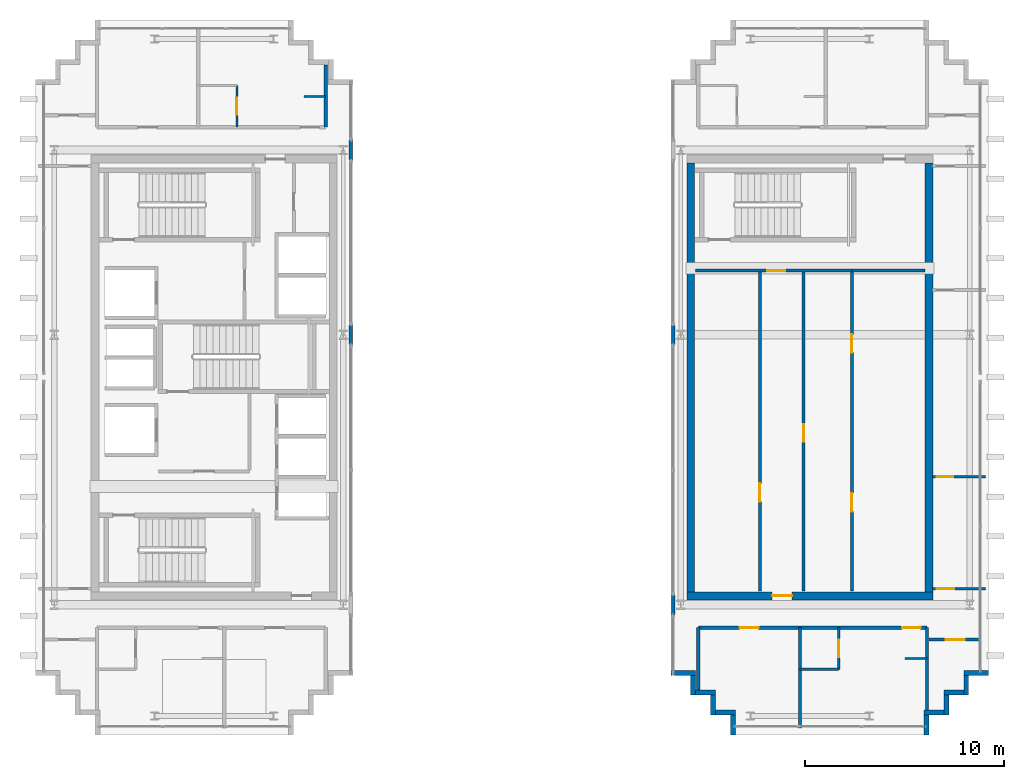
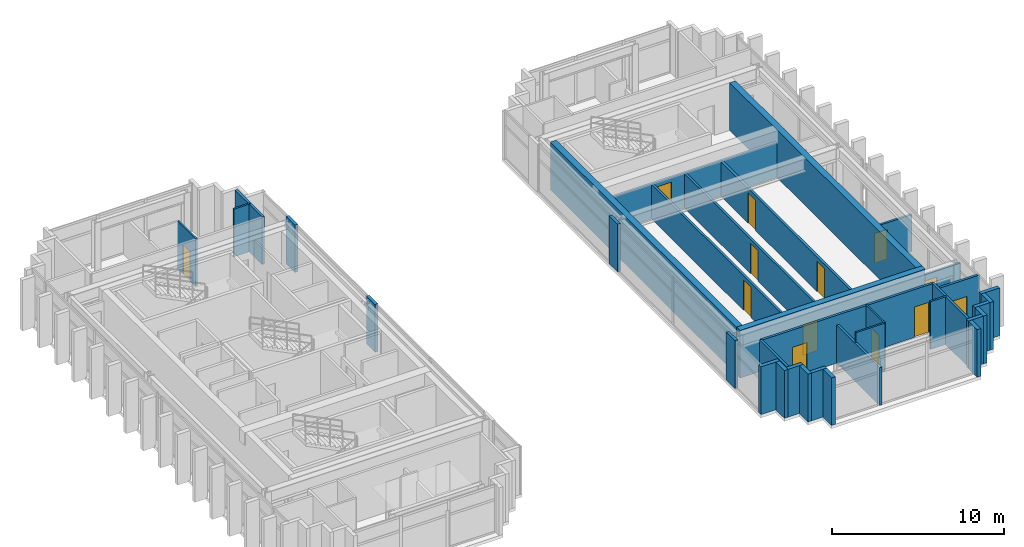
# One storey, part 21 of 25: 37 walls, 13 doors, 13 openings.
"""IFC4 building model written with IfcOpenShell, lengths in metres."""

from ifc_helpers import new_model, si_unit, direction, frame, frame_2d, origin, place, context, subcontext, project, spatial, rectangle, extrude, source, transform, mapped, material, layer, layer_set, type_object, element, fill, save


model = new_model("IFC4")

# Units and contexts
model_context = context("Model", 3, precision=1e-05, world=origin(), true_north=direction((0.0, 1.0)))
body_context = subcontext(model_context, "Body", "Model", "MODEL_VIEW")
ifc_project = project(units=[si_unit("LENGTHUNIT", "METRE"), si_unit("AREAUNIT", "SQUARE_METRE"), si_unit("VOLUMEUNIT", "CUBIC_METRE"), si_unit("PLANEANGLEUNIT", "RADIAN"), si_unit("MASSUNIT", "GRAM", prefix="KILO")], contexts=[model_context])

# Site, building, storey
site_placement = place(None, origin())
site = spatial("IfcSite", under=ifc_project, at=site_placement, CompositionType="ELEMENT")
building_placement = place(site_placement, origin())
building = spatial("IfcBuilding", under=site, at=building_placement, Name="Ocotamira Hotel", CompositionType="ELEMENT")
storey_placement = place(building_placement, frame((0.0, 0.0, 258.0)))
storey = spatial("IfcBuildingStorey", under=building, at=storey_placement, Name="L65", CompositionType="ELEMENT", Elevation=258.0)

# Wall, opening, door
ifc_material_1 = material(Name="Concrete C50/60", Category="concrete")
ifc_layer_1 = layer(ifc_material_1, 0.39990234375)
ifc_layer_set_1 = layer_set([ifc_layer_1], Name="Concrete C50/60")
wall_type_1 = type_object("IfcWallType", Name="WL-CORE-400", PredefinedType="SHEAR", material=ifc_layer_set_1)
wall_1_placement = place(storey_placement, frame((40.800048828125, 15.0, 0.0), z_axis=(0.0, 0.0, 1.0), x_axis=(1.0, 0.0, 0.0)))
wall_1 = element("IfcWall", 1, at=wall_1_placement, inside=storey, type_object=wall_type_1, Name="L65 Shear Core Wall ECORE-S", PredefinedType="SHEAR", context=body_context, shape_type="SweptSolid", body=[
    extrude(rectangle(XDim=12.39990234375, YDim=0.39990234375, at=frame_2d((6.199951171875, 0.0))), origin(), (0.0, 0.0, 1.0), 3.3798828125),
])
opening_1_placement = place(wall_1_placement, frame((4.300048828125, 0.0, 0.0)))
opening_1 = element("IfcOpeningElement", 2, at=opening_1_placement, cuts=wall_1, Name="Opening D-FR2", PredefinedType="OPENING", context=body_context, shape_type="SweptSolid", body=[
    extrude(rectangle(XDim=1.0, YDim=2.14990234375, at=frame_2d((0.5, 1.074951171875))), frame((0.0, 0.2099609375, 0.0), z_axis=(0.0, -1.0, 0.0), x_axis=(1.0, 0.0, 0.0)), (0.0, 0.0, 1.0), 0.419921875),
])
ifc_material_2 = material(Name="Fire-rated acoustic timber-veneer door", Category="wood")
door_type_1 = type_object("IfcDoorType", Name="DR-FIRE-1000", OperationType="NOTDEFINED", PredefinedType="DOOR", material=ifc_material_2)
shared_shape_1 = source(origin(), body_context, "Body", "SweptSolid", [
    extrude(rectangle(XDim=1.0, YDim=2.14990234375, at=frame_2d((0.5, 1.074951171875))), frame((0.0, 0.02490234375, 0.0), z_axis=(0.0, -1.0, 0.0), x_axis=(1.0, 0.0, 0.0)), (0.0, 0.0, 1.0), 0.050048828125),
])
door_1_placement = place(opening_1_placement, origin())
door_1 = element("IfcDoor", 3, at=door_1_placement, inside=storey, type_object=door_type_1, Name="L65 Door ID-L65-ELOB-S-D [ID-L65-ELOB-S-D]", OperationType="SINGLE_SWING_RIGHT", OverallHeight=2.14990234375, OverallWidth=1.0, PredefinedType="DOOR", context=body_context, shape_type="MappedRepresentation", body=[
    mapped(shared_shape_1, transform((0.0, 0.0, 0.0), scale=1.0)),
])
fill(opening_1, door_1)

# Walls
for number, where, z_axis, x_axis, name in (
    (4, (41.0, 15.199951171875, 0.0), (0.0, 0.0, 1.0), (0.0, 1.0, 0.0), "L65 Shear Core Wall ECORE-W"),
    (5, (53.0, 15.199951171875, 0.0), (0.0, 0.0, 1.0), (0.0, 1.0, 0.0), "L65 Shear Core Wall ECORE-E"),
):
    element("IfcWall", number, at=place(storey_placement, frame(where, z_axis=z_axis, x_axis=x_axis)), inside=storey, type_object=wall_type_1, Name=name, PredefinedType="SHEAR", context=body_context, shape_type="SweptSolid", body=[
        extrude(rectangle(XDim=21.60009765625, YDim=0.39990234375, at=frame_2d((10.800048828125, 0.0))), origin(), (0.0, 0.0, 1.0), 3.3798828125),
    ])
ifc_material_3 = material(Name="Precast concrete C45/55", Category="concrete")
ifc_layer_2 = layer(ifc_material_3, 0.25)
ifc_layer_set_2 = layer_set([ifc_layer_2], Name="Precast concrete C45/55")
wall_type_2 = type_object("IfcWallType", Name="WL-EXT-SER-250", PredefinedType="SOLIDWALL", material=ifc_layer_set_2)
for number, where, z_axis, x_axis, name in (
    (6, (52.875, 8.0, 0.0), (0.0, 0.0, 1.0), (0.0, 1.0, 0.0), "L65 -E Serrated Corner Wall 01"),
    (7, (52.75, 9.125, 0.0), (0.0, 0.0, 1.0), (1.0, 0.0, 0.0), "L65 -E Serrated Corner Wall 02"),
    (8, (53.875, 9.0, 0.0), (0.0, 0.0, 1.0), (0.0, 1.0, 0.0), "L65 -E Serrated Corner Wall 03"),
    (9, (53.75, 10.125, 0.0), (0.0, 0.0, 1.0), (1.0, 0.0, 0.0), "L65 -E Serrated Corner Wall 04"),
    (10, (54.875, 10.0, 0.0), (0.0, 0.0, 1.0), (0.0, 1.0, 0.0), "L65 -E Serrated Corner Wall 05"),
):
    element("IfcWall", number, at=place(storey_placement, frame(where, z_axis=z_axis, x_axis=x_axis)), inside=storey, type_object=wall_type_2, Name=name, PredefinedType="SOLIDWALL", context=body_context, shape_type="SweptSolid", body=[
        extrude(rectangle(XDim=1.0, YDim=0.25, at=frame_2d((0.5, 0.0))), origin(), (0.0, 0.0, 1.0), 3.3798828125),
    ])
for number, where, z_axis, x_axis, name in (
    (11, (54.75, 11.125, 0.0), (0.0, 0.0, 1.0), (1.0, 0.0, 0.0), "L65 -E Serrated Corner Wall 06"),
    (12, (40.0, 11.125, 0.0), (0.0, 0.0, 1.0), (1.0, 0.0, 0.0), "L65 -E Serrated Corner Wall 19"),
):
    element("IfcWall", number, at=place(storey_placement, frame(where, z_axis=z_axis, x_axis=x_axis)), inside=storey, type_object=wall_type_2, Name=name, PredefinedType="SOLIDWALL", context=body_context, shape_type="SweptSolid", body=[
        extrude(rectangle(XDim=1.25, YDim=0.25, at=frame_2d((0.625, 0.0))), origin(), (0.0, 0.0, 1.0), 3.3798828125),
    ])
for number, where, z_axis, x_axis, name in (
    (13, (41.125, 11.0, 0.0), (0.0, 0.0, 1.0), (0.0, -1.0, 0.0), "L65 -E Serrated Corner Wall 20"),
    (14, (41.25, 10.125, 0.0), (0.0, 0.0, 1.0), (1.0, 0.0, 0.0), "L65 -E Serrated Corner Wall 21"),
    (15, (42.125, 10.0, 0.0), (0.0, 0.0, 1.0), (0.0, -1.0, 0.0), "L65 -E Serrated Corner Wall 22"),
    (16, (42.25, 9.125, 0.0), (0.0, 0.0, 1.0), (1.0, 0.0, 0.0), "L65 -E Serrated Corner Wall 23"),
    (17, (43.125, 9.0, 0.0), (0.0, 0.0, 1.0), (0.0, -1.0, 0.0), "L65 -E Serrated Corner Wall 24"),
):
    element("IfcWall", number, at=place(storey_placement, frame(where, z_axis=z_axis, x_axis=x_axis)), inside=storey, type_object=wall_type_2, Name=name, PredefinedType="SOLIDWALL", context=body_context, shape_type="SweptSolid", body=[
        extrude(rectangle(XDim=1.0, YDim=0.25, at=frame_2d((0.5, 0.0))), origin(), (0.0, 0.0, 1.0), 3.3798828125),
    ])
ifc_material_4 = material(Name="Acoustic double-layer fire gypsum board partition", Category="gypsum")
ifc_layer_3 = layer(ifc_material_4, 0.159912109375)
ifc_layer_set_3 = layer_set([ifc_layer_3], Name="Acoustic double-layer fire gypsum board partition")
wall_type_3 = type_object("IfcWallType", Name="WL-FIRE-160", PredefinedType="PARTITIONING", material=ifc_layer_set_3)
wall_2_placement = place(storey_placement, frame((49.1201171875, 31.3798828125, 0.0), z_axis=(0.0, 0.0, 1.0), x_axis=(1.0, 0.0, 0.0)))
element("IfcWall", 18, at=wall_2_placement, inside=storey, type_object=wall_type_3, Name="L65 Interior Wall PW-L65-EC-FLOW-N", PredefinedType="PARTITIONING", context=body_context, shape_type="SweptSolid", body=[
    extrude(rectangle(XDim=3.679931640625, YDim=0.159912109375, at=frame_2d((1.83984375, 0.0))), origin(), (0.0, 0.0, 1.0), 2.47998046875),
])

# Wall, openings, doors
wall_3_placement = place(storey_placement, frame((49.1201171875, 15.25, 0.0), z_axis=(0.0, 0.0, 1.0), x_axis=(0.0, 1.0, 0.0)))
wall_3 = element("IfcWall", 19, at=wall_3_placement, inside=storey, type_object=wall_type_3, Name="L65 Interior Wall PW-L65-EC-FLOW-W", PredefinedType="PARTITIONING", context=body_context, shape_type="SweptSolid", body=[
    extrude(rectangle(XDim=16.1298828125, YDim=0.159912109375, at=frame_2d((8.06494140625, 0.0))), origin(), (0.0, 0.0, 1.0), 2.452880859375),
])
opening_2_placement = place(wall_3_placement, frame((4.0, 0.0, 0.0)))
opening_2 = element("IfcOpeningElement", 20, at=opening_2_placement, cuts=wall_3, Name="Opening D-SV3", PredefinedType="OPENING", context=body_context, shape_type="SweptSolid", body=[
    extrude(rectangle(XDim=0.919921875, YDim=2.14990234375, at=frame_2d((0.4599609375, 1.074951171875))), frame((0.0, 0.08984375, 0.0), z_axis=(0.0, -1.0, 0.0), x_axis=(1.0, 0.0, 0.0)), (0.0, 0.0, 1.0), 0.179931640625),
])
opening_3_placement = place(wall_3_placement, frame((12.0, 0.0, 0.0)))
opening_3 = element("IfcOpeningElement", 21, at=opening_3_placement, cuts=wall_3, Name="Opening D-SV3", PredefinedType="OPENING", context=body_context, shape_type="SweptSolid", body=[
    extrude(rectangle(XDim=0.919921875, YDim=2.14990234375, at=frame_2d((0.4599609375, 1.074951171875))), frame((0.0, 0.08984375, 0.0), z_axis=(0.0, -1.0, 0.0), x_axis=(1.0, 0.0, 0.0)), (0.0, 0.0, 1.0), 0.179931640625),
])
ifc_material_5 = material(Name="Fire-rated walnut hospitality door", Category="wood")
door_type_2 = type_object("IfcDoorType", Name="DR-SERV-920", OperationType="NOTDEFINED", PredefinedType="DOOR", material=ifc_material_5)
shared_shape_2 = source(origin(), body_context, "Body", "SweptSolid", [
    extrude(rectangle(XDim=0.919921875, YDim=2.14990234375, at=frame_2d((0.4599609375, 1.074951171875))), frame((0.0, 0.02490234375, 0.0), z_axis=(0.0, -1.0, 0.0), x_axis=(1.0, 0.0, 0.0)), (0.0, 0.0, 1.0), 0.050048828125),
])
door_2_placement = place(opening_2_placement, origin())
door_2 = element("IfcDoor", 22, at=door_2_placement, inside=storey, type_object=door_type_2, Name="L65 Door ID-L65-EC-FLOW-D1 [ID-L65-EC-FLOW-D1]", OperationType="SINGLE_SWING_LEFT", OverallHeight=2.14990234375, OverallWidth=0.919921875, PredefinedType="DOOR", context=body_context, shape_type="MappedRepresentation", body=[
    mapped(shared_shape_2, transform((0.0, 0.0, 0.0), scale=1.0)),
])
fill(opening_2, door_2)
door_3_placement = place(opening_3_placement, origin())
door_3 = element("IfcDoor", 23, at=door_3_placement, inside=storey, type_object=door_type_2, Name="L65 Door ID-L65-EC-FLOW-D2 [ID-L65-EC-FLOW-D2]", OperationType="SINGLE_SWING_RIGHT", OverallHeight=2.14990234375, OverallWidth=0.919921875, PredefinedType="DOOR", context=body_context, shape_type="MappedRepresentation", body=[
    mapped(shared_shape_2, transform((0.0, 0.0, 0.0), scale=1.0)),
])
fill(opening_3, door_3)

wall_4_placement = place(storey_placement, frame((41.3798828125, 13.39990234375, 0.0), z_axis=(0.0, 0.0, 1.0), x_axis=(1.0, 0.0, 0.0)))
wall_4 = element("IfcWall", 24, at=wall_4_placement, inside=storey, type_object=wall_type_3, Name="L65 Interior Wall PW-L65-SPE1S-CORRW", PredefinedType="PARTITIONING", context=body_context, shape_type="SweptSolid", body=[
    extrude(rectangle(XDim=11.52001953125, YDim=0.159912109375, at=frame_2d((5.760009765625, 0.0))), origin(), (0.0, 0.0, 1.0), 3.3798828125),
])
opening_4_placement = place(wall_4_placement, frame((2.080078125, 0.0, 0.0)))
opening_4 = element("IfcOpeningElement", 25, at=opening_4_placement, cuts=wall_4, Name="Opening D-SV4", PredefinedType="OPENING", context=body_context, shape_type="SweptSolid", body=[
    extrude(rectangle(XDim=0.9599609375, YDim=2.14990234375, at=frame_2d((0.47998046875, 1.074951171875))), frame((0.0, 0.08984375, 0.0), z_axis=(0.0, -1.0, 0.0), x_axis=(1.0, 0.0, 0.0)), (0.0, 0.0, 1.0), 0.179931640625),
])
opening_5_placement = place(wall_4_placement, frame((10.260009765625, 0.0, 0.0)))
opening_5 = element("IfcOpeningElement", 26, at=opening_5_placement, cuts=wall_4, Name="Opening D-GR1", PredefinedType="OPENING", context=body_context, shape_type="SweptSolid", body=[
    extrude(rectangle(XDim=0.93994140625, YDim=2.14990234375, at=frame_2d((0.469970703125, 1.074951171875))), frame((0.0, 0.08984375, 0.0), z_axis=(0.0, -1.0, 0.0), x_axis=(1.0, 0.0, 0.0)), (0.0, 0.0, 1.0), 0.179931640625),
])
ifc_material_6 = material(Name="Fire-rated accessible walnut salon door", Category="wood")
door_type_3 = type_object("IfcDoorType", Name="DR-SERV-960", OperationType="NOTDEFINED", PredefinedType="DOOR", material=ifc_material_6)
shared_shape_3 = source(origin(), body_context, "Body", "SweptSolid", [
    extrude(rectangle(XDim=0.9599609375, YDim=2.14990234375, at=frame_2d((0.47998046875, 1.074951171875))), frame((0.0, 0.02490234375, 0.0), z_axis=(0.0, -1.0, 0.0), x_axis=(1.0, 0.0, 0.0)), (0.0, 0.0, 1.0), 0.050048828125),
])
door_4_placement = place(opening_4_placement, origin())
door_4 = element("IfcDoor", 27, at=door_4_placement, inside=storey, type_object=door_type_3, Name="L65 Door ID-L65-SPE1S-AMD1 [ID-L65-SPE1S-AMD1]", OperationType="SINGLE_SWING_LEFT", OverallHeight=2.14990234375, OverallWidth=0.9599609375, PredefinedType="DOOR", context=body_context, shape_type="MappedRepresentation", body=[
    mapped(shared_shape_3, transform((0.0, 0.0, 0.0), scale=1.0)),
])
fill(opening_4, door_4)
ifc_material_7 = material(Name="Solid-core walnut suite entrance fire door", Category="wood")
door_type_4 = type_object("IfcDoorType", Name="DR-GUEST-940", OperationType="NOTDEFINED", PredefinedType="DOOR", material=ifc_material_7)
shared_shape_4 = source(origin(), body_context, "Body", "SweptSolid", [
    extrude(rectangle(XDim=0.93994140625, YDim=2.14990234375, at=frame_2d((0.469970703125, 1.074951171875))), frame((0.0, 0.02490234375, 0.0), z_axis=(0.0, -1.0, 0.0), x_axis=(1.0, 0.0, 0.0)), (0.0, 0.0, 1.0), 0.050048828125),
])
door_5_placement = place(opening_5_placement, origin())
door_5 = element("IfcDoor", 28, at=door_5_placement, inside=storey, type_object=door_type_4, Name="L65 Door ID-L65-SPE1S-RMD2 [ID-L65-SPE1S-RMD2]", OperationType="SINGLE_SWING_RIGHT", OverallHeight=2.14990234375, OverallWidth=0.93994140625, PredefinedType="DOOR", context=body_context, shape_type="MappedRepresentation", body=[
    mapped(shared_shape_4, transform((0.0, 0.0, 0.0), scale=1.0)),
])
fill(opening_5, door_5)

# Wall, opening, door
wall_5_placement = place(storey_placement, frame((53.0, 12.800048828125, 0.0), z_axis=(0.0, 0.0, 1.0), x_axis=(1.0, 0.0, 0.0)))
wall_5 = element("IfcWall", 29, at=wall_5_placement, inside=storey, type_object=wall_type_3, Name="L65 Interior Wall PW-L65-SPCSE1-CW", PredefinedType="PARTITIONING", context=body_context, shape_type="SweptSolid", body=[
    extrude(rectangle(XDim=2.64990234375, YDim=0.159912109375, at=frame_2d((1.324951171875, 0.0))), origin(), (0.0, 0.0, 1.0), 3.3798828125),
])
opening_6_placement = place(wall_5_placement, frame((0.844970703125, 0.0, 0.0)))
opening_6 = element("IfcOpeningElement", 30, at=opening_6_placement, cuts=wall_5, Name="Opening D-SV4", PredefinedType="OPENING", context=body_context, shape_type="SweptSolid", body=[
    extrude(rectangle(XDim=0.9599609375, YDim=2.14990234375, at=frame_2d((0.47998046875, 1.074951171875))), frame((0.0, 0.08984375, 0.0), z_axis=(0.0, -1.0, 0.0), x_axis=(1.0, 0.0, 0.0)), (0.0, 0.0, 1.0), 0.179931640625),
])
door_6_placement = place(opening_6_placement, origin())
door_6 = element("IfcDoor", 31, at=door_6_placement, inside=storey, type_object=door_type_3, Name="L65 Door ID-L65-SPCSE1-CD [ID-L65-SPCSE1-CD]", OperationType="SINGLE_SWING_LEFT", OverallHeight=2.14990234375, OverallWidth=0.9599609375, PredefinedType="DOOR", context=body_context, shape_type="MappedRepresentation", body=[
    mapped(shared_shape_3, transform((0.0, 0.0, 0.0), scale=1.0)),
])
fill(opening_6, door_6)

# Walls
ifc_layer_4 = layer(ifc_material_3, 0.219970703125)
ifc_layer_set_4 = layer_set([ifc_layer_4], Name="Precast concrete C45/55")
wall_type_4 = type_object("IfcWallType", Name="WL-PARA-220", PredefinedType="PARAPET", material=ifc_layer_set_4)
for number, where, z_axis, x_axis, name in (
    (32, (23.8798828125, 27.64990234375, 0.0), (0.0, 0.0, 1.0), (0.0, 1.0, 0.0), "L65 Split-Wing Column Spandrel Closure W2"),
    (33, (23.8798828125, 36.949951171875, 0.0), (0.0, 0.0, 1.0), (0.0, 1.0, 0.0), "L65 Split-Wing Column Spandrel Closure W3"),
    (34, (40.1201171875, 14.050048828125, 0.0), (0.0, 0.0, 1.0), (0.0, 1.0, 0.0), "L65 Split-Wing Column Spandrel Closure E1"),
    (35, (40.1201171875, 27.64990234375, 0.0), (0.0, 0.0, 1.0), (0.0, 1.0, 0.0), "L65 Split-Wing Column Spandrel Closure E2"),
):
    element("IfcWall", number, at=place(storey_placement, frame(where, z_axis=z_axis, x_axis=x_axis)), inside=storey, type_object=wall_type_4, Name=name, PredefinedType="PARAPET", context=body_context, shape_type="SweptSolid", body=[
        extrude(rectangle(XDim=1.0, YDim=0.199951171875, at=frame_2d((0.5, 0.0))), origin(), (0.0, 0.0, 1.0), 3.3798828125),
    ])

# Wall, opening, door
ifc_material_8 = material(Name="Moisture-resistant en-suite tile and gypsum partition", Category="gypsum")
ifc_layer_5 = layer(ifc_material_8, 0.1201171875)
ifc_layer_set_5 = layer_set([ifc_layer_5], Name="Moisture-resistant en-suite tile and gypsum partition")
wall_type_5 = type_object("IfcWallType", Name="WL-PART-120", PredefinedType="PARTITIONING", material=ifc_layer_set_5)
wall_6_placement = place(storey_placement, frame((18.14990234375, 38.60009765625, 0.0), z_axis=(0.0, 0.0, 1.0), x_axis=(0.0, 1.0, 0.0)))
wall_6 = element("IfcWall", 36, at=wall_6_placement, inside=storey, type_object=wall_type_5, Name="L65 Interior Wall PW-L65-SPW1N-BAE2", PredefinedType="PARTITIONING", context=body_context, shape_type="SweptSolid", body=[
    extrude(rectangle(XDim=2.099853515625, YDim=0.1201171875, at=frame_2d((1.0498046875, 0.0))), origin(), (0.0, 0.0, 1.0), 3.3798828125),
])
opening_7_placement = place(wall_6_placement, frame((0.6201171875, 0.0, 0.0)))
opening_7 = element("IfcOpeningElement", 37, at=opening_7_placement, cuts=wall_6, Name="Opening D-BA1", PredefinedType="OPENING", context=body_context, shape_type="SweptSolid", body=[
    extrude(rectangle(XDim=0.860107421875, YDim=2.10009765625, at=frame_2d((0.43017578125, 1.050048828125))), frame((0.0, 0.070068359375, 0.0), z_axis=(0.0, -1.0, 0.0), x_axis=(1.0, 0.0, 0.0)), (0.0, 0.0, 1.0), 0.14013671875),
])
ifc_material_9 = material(Name="Moisture-sealed en-suite timber door", Category="wood")
door_type_5 = type_object("IfcDoorType", Name="DR-BATH-860", OperationType="NOTDEFINED", PredefinedType="DOOR", material=ifc_material_9)
shared_shape_5 = source(origin(), body_context, "Body", "SweptSolid", [
    extrude(rectangle(XDim=0.860107421875, YDim=2.10009765625, at=frame_2d((0.43017578125, 1.050048828125))), frame((0.0, 0.02490234375, 0.0), z_axis=(0.0, -1.0, 0.0), x_axis=(1.0, 0.0, 0.0)), (0.0, 0.0, 1.0), 0.050048828125),
])
door_7_placement = place(opening_7_placement, origin())
door_7 = element("IfcDoor", 38, at=door_7_placement, inside=storey, type_object=door_type_5, Name="L65 Door ID-L65-SPW1N-BAD2 [ID-L65-SPW1N-BAD2]", OperationType="SINGLE_SWING_LEFT", OverallHeight=2.10009765625, OverallWidth=0.860107421875, PredefinedType="DOOR", context=body_context, shape_type="MappedRepresentation", body=[
    mapped(shared_shape_5, transform((0.0, 0.0, 0.0), scale=1.0)),
])
fill(opening_7, door_7)

# Wall
wall_7_placement = place(storey_placement, frame((21.52001953125, 40.14990234375, 0.0), z_axis=(0.0, 0.0, 1.0), x_axis=(1.0, 0.0, 0.0)))
element("IfcWall", 39, at=wall_7_placement, inside=storey, type_object=wall_type_5, Name="L65 Interior Wall PW-L65-SPW1N-DRN2", PredefinedType="PARTITIONING", context=body_context, shape_type="SweptSolid", body=[
    extrude(rectangle(XDim=1.10009765625, YDim=0.1201171875, at=frame_2d((0.550048828125, 0.0))), origin(), (0.0, 0.0, 1.0), 3.3798828125),
])

# Wall, opening, door
wall_8_placement = place(storey_placement, frame((48.449951171875, 11.300048828125, 0.0), z_axis=(0.0, 0.0, 1.0), x_axis=(0.0, 1.0, 0.0)))
wall_8 = element("IfcWall", 40, at=wall_8_placement, inside=storey, type_object=wall_type_5, Name="L65 Interior Wall PW-L65-SPE1S-BAE2", PredefinedType="PARTITIONING", context=body_context, shape_type="SweptSolid", body=[
    extrude(rectangle(XDim=2.099853515625, YDim=0.1201171875, at=frame_2d((1.0498046875, 0.0))), origin(), (0.0, 0.0, 1.0), 3.3798828125),
])
opening_8_placement = place(wall_8_placement, frame((0.6201171875, 0.0, 0.0)))
opening_8 = element("IfcOpeningElement", 41, at=opening_8_placement, cuts=wall_8, Name="Opening D-BA1", PredefinedType="OPENING", context=body_context, shape_type="SweptSolid", body=[
    extrude(rectangle(XDim=0.860107421875, YDim=2.10009765625, at=frame_2d((0.43017578125, 1.050048828125))), frame((0.0, 0.070068359375, 0.0), z_axis=(0.0, -1.0, 0.0), x_axis=(1.0, 0.0, 0.0)), (0.0, 0.0, 1.0), 0.14013671875),
])
door_8_placement = place(opening_8_placement, origin())
door_8 = element("IfcDoor", 42, at=door_8_placement, inside=storey, type_object=door_type_5, Name="L65 Door ID-L65-SPE1S-BAD2 [ID-L65-SPE1S-BAD2]", OperationType="SINGLE_SWING_LEFT", OverallHeight=2.10009765625, OverallWidth=0.860107421875, PredefinedType="DOOR", context=body_context, shape_type="MappedRepresentation", body=[
    mapped(shared_shape_5, transform((0.0, 0.0, 0.0), scale=1.0)),
])
fill(opening_8, door_8)

# Walls
wall_9_placement = place(storey_placement, frame((46.5, 11.300048828125, 0.0), z_axis=(0.0, 0.0, 1.0), x_axis=(1.0, 0.0, 0.0)))
element("IfcWall", 43, at=wall_9_placement, inside=storey, type_object=wall_type_5, Name="L65 Interior Wall PW-L65-SPE1S-BAS2", PredefinedType="PARTITIONING", context=body_context, shape_type="SweptSolid", body=[
    extrude(rectangle(XDim=1.949951171875, YDim=0.1201171875, at=frame_2d((0.97509765625, 0.0))), origin(), (0.0, 0.0, 1.0), 3.3798828125),
])
wall_10_placement = place(storey_placement, frame((51.800048828125, 11.85009765625, 0.0), z_axis=(0.0, 0.0, 1.0), x_axis=(1.0, 0.0, 0.0)))
element("IfcWall", 44, at=wall_10_placement, inside=storey, type_object=wall_type_5, Name="L65 Interior Wall PW-L65-SPE1S-DRN2", PredefinedType="PARTITIONING", context=body_context, shape_type="SweptSolid", body=[
    extrude(rectangle(XDim=1.099853515625, YDim=0.1201171875, at=frame_2d((0.5498046875, 0.0))), origin(), (0.0, 0.0, 1.0), 3.3798828125),
])

# Wall, opening, door
ifc_material_10 = material(Name="Acoustic hospitality gypsum board partition", Category="gypsum")
ifc_layer_6 = layer(ifc_material_10, 0.14208984375)
ifc_layer_set_6 = layer_set([ifc_layer_6], Name="Acoustic hospitality gypsum board partition")
wall_type_6 = type_object("IfcWallType", Name="WL-PART-142", PredefinedType="PARTITIONING", material=ifc_layer_set_6)
wall_11_placement = place(storey_placement, frame((53.179931640625, 21.0, 0.0), z_axis=(0.0, 0.0, 1.0), x_axis=(1.0, 0.0, 0.0)))
wall_11 = element("IfcWall", 45, at=wall_11_placement, inside=storey, type_object=wall_type_6, Name="L65 Interior Wall PW-L65-SP1E-DV1", PredefinedType="PARTITIONING", context=body_context, shape_type="SweptSolid", body=[
    extrude(rectangle(XDim=2.66015625, YDim=0.14208984375, at=frame_2d((1.330078125, 0.0))), origin(), (0.0, 0.0, 1.0), 2.60107421875),
])
opening_9_placement = place(wall_11_placement, frame((0.199951171875, 0.0, 0.0)))
opening_9 = element("IfcOpeningElement", 46, at=opening_9_placement, cuts=wall_11, Name="Opening D-SV1", PredefinedType="OPENING", context=body_context, shape_type="SweptSolid", body=[
    extrude(rectangle(XDim=0.840087890625, YDim=2.10009765625, at=frame_2d((0.419921875, 1.050048828125))), frame((0.0, 0.0810546875, 0.0), z_axis=(0.0, -1.0, 0.0), x_axis=(1.0, 0.0, 0.0)), (0.0, 0.0, 1.0), 0.162109375),
])
ifc_material_11 = material(Name="Fire-rated painted steel service door", Category="steel")
door_type_6 = type_object("IfcDoorType", Name="DR-SERV-840", OperationType="NOTDEFINED", PredefinedType="DOOR", material=ifc_material_11)
shared_shape_6 = source(origin(), body_context, "Body", "SweptSolid", [
    extrude(rectangle(XDim=0.840087890625, YDim=2.10009765625, at=frame_2d((0.419921875, 1.050048828125))), frame((0.0, 0.02490234375, 0.0), z_axis=(0.0, -1.0, 0.0), x_axis=(1.0, 0.0, 0.0)), (0.0, 0.0, 1.0), 0.050048828125),
])
door_9_placement = place(opening_9_placement, origin())
door_9 = element("IfcDoor", 47, at=door_9_placement, inside=storey, type_object=door_type_6, Name="L65 Door ID-L65-SP1E-DV1D [ID-L65-SP1E-DV1D]", OperationType="SINGLE_SWING_LEFT", OverallHeight=2.10009765625, OverallWidth=0.840087890625, PredefinedType="DOOR", context=body_context, shape_type="MappedRepresentation", body=[
    mapped(shared_shape_6, transform((0.0, 0.0, 0.0), scale=1.0)),
])
fill(opening_9, door_9)

ifc_layer_7 = layer(ifc_material_10, 0.14990234375)
ifc_layer_set_7 = layer_set([ifc_layer_7], Name="Acoustic hospitality gypsum board partition")
wall_type_7 = type_object("IfcWallType", Name="WL-PART-150", PredefinedType="PARTITIONING", material=ifc_layer_set_7)
wall_12_placement = place(storey_placement, frame((41.25, 31.3798828125, 0.0), z_axis=(0.0, 0.0, 1.0), x_axis=(1.0, 0.0, 0.0)))
wall_12 = element("IfcWall", 48, at=wall_12_placement, inside=storey, type_object=wall_type_7, Name="L65 Interior Wall PW-L65-EC-HMT-N", PredefinedType="PARTITIONING", context=body_context, shape_type="SweptSolid", body=[
    extrude(rectangle(XDim=7.8701171875, YDim=0.14990234375, at=frame_2d((3.93505859375, 0.0))), origin(), (0.0, 0.0, 1.0), 2.47998046875),
])
opening_10_placement = place(wall_12_placement, frame((3.60009765625, 0.0, 0.0)))
opening_10 = element("IfcOpeningElement", 49, at=opening_10_placement, cuts=wall_12, Name="Opening D-IN3", PredefinedType="OPENING", context=body_context, shape_type="SweptSolid", body=[
    extrude(rectangle(XDim=0.89990234375, YDim=2.14990234375, at=frame_2d((0.449951171875, 1.074951171875))), frame((0.0, 0.0849609375, 0.0), z_axis=(0.0, -1.0, 0.0), x_axis=(1.0, 0.0, 0.0)), (0.0, 0.0, 1.0), 0.169921875),
])
ifc_material_12 = material(Name="Painted service room door", Category="steel")
door_type_7 = type_object("IfcDoorType", Name="DR-INT-900", OperationType="NOTDEFINED", PredefinedType="DOOR", material=ifc_material_12)
shared_shape_7 = source(origin(), body_context, "Body", "SweptSolid", [
    extrude(rectangle(XDim=0.89990234375, YDim=2.14990234375, at=frame_2d((0.449951171875, 1.074951171875))), frame((0.0, 0.02490234375, 0.0), z_axis=(0.0, -1.0, 0.0), x_axis=(1.0, 0.0, 0.0)), (0.0, 0.0, 1.0), 0.050048828125),
])
door_10_placement = place(opening_10_placement, origin())
door_10 = element("IfcDoor", 50, at=door_10_placement, inside=storey, type_object=door_type_7, Name="L65 Door ID-L65-EC-MGALD [ID-L65-EC-MGALD]", OperationType="SINGLE_SWING_LEFT", OverallHeight=2.14990234375, OverallWidth=0.89990234375, PredefinedType="DOOR", context=body_context, shape_type="MappedRepresentation", body=[
    mapped(shared_shape_7, transform((0.0, 0.0, 0.0), scale=1.0)),
])
fill(opening_10, door_10)

wall_13_placement = place(storey_placement, frame((46.679931640625, 15.25, 0.0), z_axis=(0.0, 0.0, 1.0), x_axis=(0.0, 1.0, 0.0)))
wall_13 = element("IfcWall", 51, at=wall_13_placement, inside=storey, type_object=wall_type_7, Name="L65 Interior Wall PW-L65-EC-HMT-W", PredefinedType="PARTITIONING", context=body_context, shape_type="SweptSolid", body=[
    extrude(rectangle(XDim=16.1298828125, YDim=0.14990234375, at=frame_2d((8.06494140625, 0.0))), origin(), (0.0, 0.0, 1.0), 2.452880859375),
])
opening_11_placement = place(wall_13_placement, frame((7.5, 0.0, 0.0)))
opening_11 = element("IfcOpeningElement", 52, at=opening_11_placement, cuts=wall_13, Name="Opening D-IN3", PredefinedType="OPENING", context=body_context, shape_type="SweptSolid", body=[
    extrude(rectangle(XDim=0.89990234375, YDim=2.14990234375, at=frame_2d((0.449951171875, 1.074951171875))), frame((0.0, 0.0849609375, 0.0), z_axis=(0.0, -1.0, 0.0), x_axis=(1.0, 0.0, 0.0)), (0.0, 0.0, 1.0), 0.169921875),
])
door_11_placement = place(opening_11_placement, origin())
door_11 = element("IfcDoor", 53, at=door_11_placement, inside=storey, type_object=door_type_7, Name="L65 Door ID-L65-EC-HMTD [ID-L65-EC-HMTD]", OperationType="SINGLE_SWING_RIGHT", OverallHeight=2.14990234375, OverallWidth=0.89990234375, PredefinedType="DOOR", context=body_context, shape_type="MappedRepresentation", body=[
    mapped(shared_shape_7, transform((0.0, 0.0, 0.0), scale=1.0)),
])
fill(opening_11, door_11)

wall_14_placement = place(storey_placement, frame((44.47998046875, 15.25, 0.0), z_axis=(0.0, 0.0, 1.0), x_axis=(0.0, 1.0, 0.0)))
wall_14 = element("IfcWall", 54, at=wall_14_placement, inside=storey, type_object=wall_type_7, Name="L65 Interior Wall PW-L65-EC-FMID-E", PredefinedType="PARTITIONING", context=body_context, shape_type="SweptSolid", body=[
    extrude(rectangle(XDim=16.1298828125, YDim=0.14990234375, at=frame_2d((8.06494140625, 0.0))), origin(), (0.0, 0.0, 1.0), 2.452880859375),
])
opening_12_placement = place(wall_14_placement, frame((4.5, 0.0, 0.0)))
opening_12 = element("IfcOpeningElement", 55, at=opening_12_placement, cuts=wall_14, Name="Opening D-SV3", PredefinedType="OPENING", context=body_context, shape_type="SweptSolid", body=[
    extrude(rectangle(XDim=0.919921875, YDim=2.14990234375, at=frame_2d((0.4599609375, 1.074951171875))), frame((0.0, 0.0849609375, 0.0), z_axis=(0.0, -1.0, 0.0), x_axis=(1.0, 0.0, 0.0)), (0.0, 0.0, 1.0), 0.169921875),
])
door_12_placement = place(opening_12_placement, origin())
door_12 = element("IfcDoor", 56, at=door_12_placement, inside=storey, type_object=door_type_2, Name="L65 Door ID-L65-EC-FMID-D1 [ID-L65-EC-FMID-D1]", OperationType="SINGLE_SWING_RIGHT", OverallHeight=2.14990234375, OverallWidth=0.919921875, PredefinedType="DOOR", context=body_context, shape_type="MappedRepresentation", body=[
    mapped(shared_shape_2, transform((0.0, 0.0, 0.0), scale=1.0)),
])
fill(opening_12, door_12)

wall_15_placement = place(storey_placement, frame((53.179931640625, 15.360107421875, 0.0), z_axis=(0.0, 0.0, 1.0), x_axis=(1.0, 0.0, 0.0)))
wall_15 = element("IfcWall", 57, at=wall_15_placement, inside=storey, type_object=wall_type_7, Name="L65 Interior Wall PW-L65-SP1E-WS", PredefinedType="PARTITIONING", context=body_context, shape_type="SweptSolid", body=[
    extrude(rectangle(XDim=2.66015625, YDim=0.14990234375, at=frame_2d((1.330078125, 0.0))), origin(), (0.0, 0.0, 1.0), 2.60107421875),
])
opening_13_placement = place(wall_15_placement, frame((0.199951171875, 0.0, 0.0)))
opening_13 = element("IfcOpeningElement", 58, at=opening_13_placement, cuts=wall_15, Name="Opening D-SV2", PredefinedType="OPENING", context=body_context, shape_type="SweptSolid", body=[
    extrude(rectangle(XDim=0.8798828125, YDim=2.14990234375, at=frame_2d((0.43994140625, 1.074951171875))), frame((0.0, 0.0849609375, 0.0), z_axis=(0.0, -1.0, 0.0), x_axis=(1.0, 0.0, 0.0)), (0.0, 0.0, 1.0), 0.169921875),
])
door_type_8 = type_object("IfcDoorType", Name="DR-SERV-880", OperationType="NOTDEFINED", PredefinedType="DOOR", material=ifc_material_11)
shared_shape_8 = source(origin(), body_context, "Body", "SweptSolid", [
    extrude(rectangle(XDim=0.8798828125, YDim=2.14990234375, at=frame_2d((0.43994140625, 1.074951171875))), frame((0.0, 0.02490234375, 0.0), z_axis=(0.0, -1.0, 0.0), x_axis=(1.0, 0.0, 0.0)), (0.0, 0.0, 1.0), 0.050048828125),
])
door_13_placement = place(opening_13_placement, origin())
door_13 = element("IfcDoor", 59, at=door_13_placement, inside=storey, type_object=door_type_8, Name="L65 Door ID-L65-SP1E-DS [ID-L65-SP1E-DS]", OperationType="SINGLE_SWING_RIGHT", OverallHeight=2.14990234375, OverallWidth=0.8798828125, PredefinedType="DOOR", context=body_context, shape_type="MappedRepresentation", body=[
    mapped(shared_shape_8, transform((0.0, 0.0, 0.0), scale=1.0)),
])
fill(opening_13, door_13)

# Walls
ifc_material_13 = material(Name="Acoustic double-stud hospitality gypsum partition", Category="gypsum")
ifc_layer_8 = layer(ifc_material_13, 0.159912109375)
ifc_layer_set_8 = layer_set([ifc_layer_8], Name="Acoustic double-stud hospitality gypsum partition")
wall_type_8 = type_object("IfcWallType", Name="WL-PART-160", PredefinedType="PARTITIONING", material=ifc_layer_set_8)
for number, where, z_axis, x_axis, name in (
    (60, (22.6201171875, 38.60009765625, 0.0), (0.0, 0.0, 1.0), (0.0, 1.0, 0.0), "L65 Interior Wall PW-L65-SPW1N-PWEND"),
    (61, (41.3798828125, 10.260009765625, 0.0), (0.0, 0.0, 1.0), (0.0, 1.0, 0.0), "L65 Interior Wall PW-L65-SPE1S-PW0"),
):
    element("IfcWall", number, at=place(storey_placement, frame(where, z_axis=z_axis, x_axis=x_axis)), inside=storey, type_object=wall_type_8, Name=name, PredefinedType="PARTITIONING", context=body_context, shape_type="SweptSolid", body=[
        extrude(rectangle(XDim=3.139892578125, YDim=0.159912109375, at=frame_2d((1.56982421875, 0.0))), origin(), (0.0, 0.0, 1.0), 3.3798828125),
    ])
wall_16_placement = place(storey_placement, frame((52.89990234375, 9.260009765625, 0.0), z_axis=(0.0, 0.0, 1.0), x_axis=(0.0, 1.0, 0.0)))
element("IfcWall", 62, at=wall_16_placement, inside=storey, type_object=wall_type_8, Name="L65 Interior Wall PW-L65-SPE1S-PWEND", PredefinedType="PARTITIONING", context=body_context, shape_type="SweptSolid", body=[
    extrude(rectangle(XDim=4.139892578125, YDim=0.159912109375, at=frame_2d((2.06982421875, 0.0))), origin(), (0.0, 0.0, 1.0), 3.3798828125),
])
wall_17_placement = place(storey_placement, frame((46.5, 8.360107421875, 0.0), z_axis=(0.0, 0.0, 1.0), x_axis=(0.0, 1.0, 0.0)))
element("IfcWall", 63, at=wall_17_placement, inside=storey, type_object=wall_type_8, Name="L65 Interior Wall PW-L65-SPE1S-PW1", PredefinedType="PARTITIONING", context=body_context, shape_type="SweptSolid", body=[
    extrude(rectangle(XDim=5.039794921875, YDim=0.159912109375, at=frame_2d((2.52001953125, 0.0))), origin(), (0.0, 0.0, 1.0), 2.68701171875),
])

save(model, "model.ifc")
